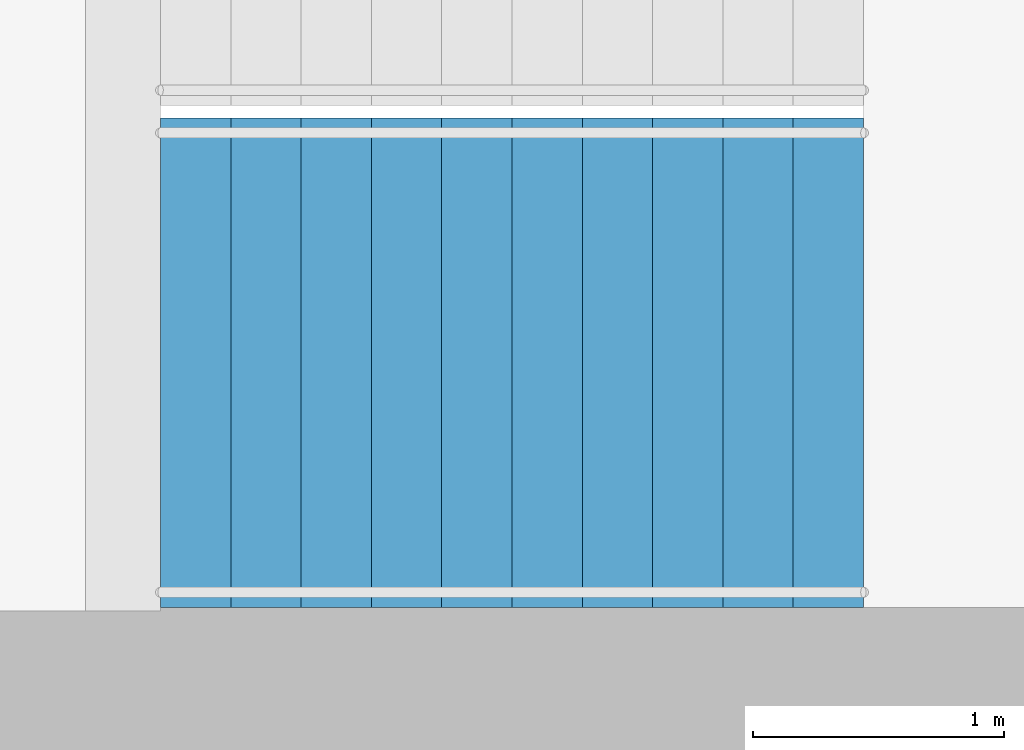
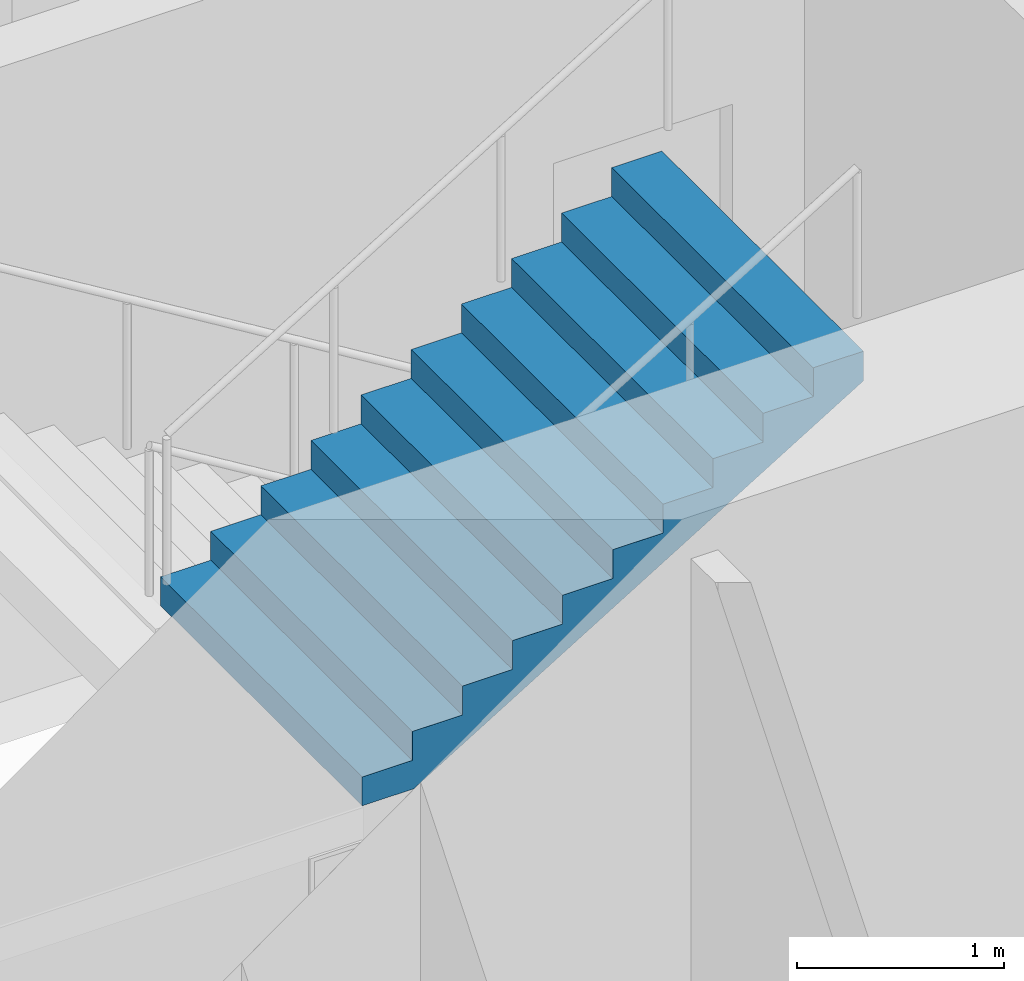
# One storey, part 23 of 25: 1 stair flight, 1 element without a shape of its own.
"""IFC4 building model written with IfcOpenShell, lengths in metres."""

from ifc_helpers import new_model, si_unit, direction, frame, origin, place, context, subcontext, project, spatial, triangles, material, type_object, element, aggregate, save


model = new_model("IFC4")

# Units and contexts
model_context = context("Model", 3, precision=1e-05, world=origin(), true_north=direction((0.0, 1.0)))
body_context = subcontext(model_context, "Body", "Model", "MODEL_VIEW")
ifc_project = project(units=[si_unit("LENGTHUNIT", "METRE"), si_unit("AREAUNIT", "SQUARE_METRE"), si_unit("VOLUMEUNIT", "CUBIC_METRE"), si_unit("PLANEANGLEUNIT", "RADIAN"), si_unit("MASSUNIT", "GRAM", prefix="KILO")], contexts=[model_context])

# Site, building, storey
site_placement = place(None, origin())
site = spatial("IfcSite", under=ifc_project, at=site_placement, CompositionType="ELEMENT")
building_placement = place(site_placement, origin())
building = spatial("IfcBuilding", under=site, at=building_placement, Name="Orbita Commons", CompositionType="ELEMENT")
storey_placement = place(building_placement, frame((0.0, 0.0, 31.449951171875)))
storey = spatial("IfcBuildingStorey", under=building, at=storey_placement, Name="L07", CompositionType="ELEMENT", Elevation=31.449951171875)

# Stair, stair flight
ifc_material_1 = material(Name="Precast concrete C40/50", Category="concrete")
stair_type = type_object("IfcStairType", Name="Exit stair S2 2 flights 11 risers 170", PredefinedType="HALF_TURN_STAIR", material=ifc_material_1)
stair_placement = place(storey_placement, origin())
stair = element("IfcStair", 1, at=stair_placement, inside=storey, type_object=stair_type, Name="Exit stair S2 L07", PredefinedType="HALF_TURN_STAIR")
ifc_material_2 = material(Name="Precast concrete C40/50", Category="concrete")
stair_flight_type = type_object("IfcStairFlightType", Name="Stair flight 11 risers 170 x 280", PredefinedType="STRAIGHT", material=ifc_material_2)
stair_flight_placement = place(storey_placement, frame((60.75, 27.27490234375, 1.875), z_axis=(0.0, 0.0, 1.0), x_axis=(1.0, 0.0, 0.0)))
stair_flight = element("IfcStairFlight", 2, at=stair_flight_placement, type_object=stair_flight_type, Name="S2 flight 2", NumberOfRisers=11, NumberOfTreads=10, PredefinedType="STRAIGHT", RiserHeight=0.170454545, TreadLength=0.28, context=body_context, shape_type="Tessellation", body=[
    triangles([(0.0, 0.974976, 0.0), (0.0, 0.974976, 0.021307), (0.0, 0.81248, 0.021307), (0.0, 0.81248, 0.0), (0.0, 0.649984, 0.021307), (0.0, 0.649984, 0.0), (0.0, 0.487488, 0.021307), (0.0, 0.487488, 0.0), (0.0, 0.324992, 0.021307), (0.0, 0.324992, 0.0), (0.0, 0.162496, 0.021307), (0.0, 0.162496, 0.0), (0.0, 0.0, 0.021307), (0.0, 0.0, 0.0), (0.0, -0.162496, 0.021307), (0.0, -0.162496, 0.0), (0.0, -0.324992, 0.021307), (0.0, -0.324992, 0.0), (0.0, -0.487488, 0.021307), (0.0, -0.487488, 0.0), (0.0, -0.649984, 0.021307), (0.0, -0.649984, 0.0), (0.0, -0.81248, 0.021307), (0.0, -0.81248, 0.0), (0.0, -0.974976, 0.021307), (0.0, -0.974976, 0.0), (0.0, 0.974976, 0.042614), (0.0, 0.81248, 0.042614), (0.0, 0.649984, 0.042614), (0.0, 0.487488, 0.042614), (0.0, 0.324992, 0.042614), (0.0, 0.162496, 0.042614), (0.0, 0.0, 0.042614), (0.0, -0.162496, 0.042614), (0.0, -0.324992, 0.042614), (0.0, -0.487488, 0.042614), (0.0, -0.649984, 0.042614), (0.0, -0.81248, 0.042614), (0.0, -0.974976, 0.042614), (0.0, 0.974976, 0.06392), (0.0, 0.81248, 0.06392), (0.0, 0.649984, 0.06392), (0.0, 0.487488, 0.06392), (0.0, 0.324992, 0.06392), (0.0, 0.162496, 0.06392), (0.0, 0.0, 0.06392), (0.0, -0.162496, 0.06392), (0.0, -0.324992, 0.06392), (0.0, -0.487488, 0.06392), (0.0, -0.649984, 0.06392), (0.0, -0.81248, 0.06392), (0.0, -0.974976, 0.06392), (0.0, 0.974976, 0.085227), (0.0, 0.81248, 0.085227), (0.0, 0.649984, 0.085227), (0.0, 0.487488, 0.085227), (0.0, 0.324992, 0.085227), (0.0, 0.162496, 0.085227), (0.0, 0.0, 0.085227), (0.0, -0.162496, 0.085227), (0.0, -0.324992, 0.085227), (0.0, -0.487488, 0.085227), (0.0, -0.649984, 0.085227), (0.0, -0.81248, 0.085227), (0.0, -0.974976, 0.085227), (0.0, 0.974976, 0.106534), (0.0, 0.81248, 0.106534), (0.0, 0.649984, 0.106534), (0.0, 0.487488, 0.106534), (0.0, 0.324992, 0.106534), (0.0, 0.162496, 0.106534), (0.0, 0.0, 0.106534), (0.0, -0.162496, 0.106534), (0.0, -0.324992, 0.106534), (0.0, -0.487488, 0.106534), (0.0, -0.649984, 0.106534), (0.0, -0.81248, 0.106534), (0.0, -0.974976, 0.106534), (0.0, 0.974976, 0.127841), (0.0, 0.81248, 0.127841), (0.0, 0.649984, 0.127841), (0.0, 0.487488, 0.127841), (0.0, 0.324992, 0.127841), (0.0, 0.162496, 0.127841), (0.0, 0.0, 0.127841), (0.0, -0.162496, 0.127841), (0.0, -0.324992, 0.127841), (0.0, -0.487488, 0.127841), (0.0, -0.649984, 0.127841), (0.0, -0.81248, 0.127841), (0.0, -0.974976, 0.127841), (0.0, 0.974976, 0.149148), (0.0, 0.81248, 0.149148), (0.0, 0.649984, 0.149148), (0.0, 0.487488, 0.149148), (0.0, 0.324992, 0.149148), (0.0, 0.162496, 0.149148), (0.0, 0.0, 0.149148), (0.0, -0.162496, 0.149148), (0.0, -0.324992, 0.149148), (0.0, -0.487488, 0.149148), (0.0, -0.649984, 0.149148), (0.0, -0.81248, 0.149148), (0.0, -0.974976, 0.149148), (0.0, 0.974976, 0.170455), (0.0, 0.81248, 0.170455), (0.0, 0.649984, 0.170455), (0.0, 0.487488, 0.170455), (0.0, 0.324992, 0.170455), (0.0, 0.162496, 0.170455), (0.0, 0.0, 0.170455), (0.0, -0.162496, 0.170455), (0.0, -0.324992, 0.170455), (0.0, -0.487488, 0.170455), (0.0, -0.649984, 0.170455), (0.0, -0.81248, 0.170455), (0.0, -0.974976, 0.170455), (0.28, 0.974976, 0.170455), (0.28, 0.81248, 0.170455), (0.28, 0.649984, 0.170455), (0.28, 0.487488, 0.170455), (0.28, 0.324992, 0.170455), (0.28, 0.162496, 0.170455), (0.28, 0.0, 0.170455), (0.28, -0.162496, 0.170455), (0.28, -0.324992, 0.170455), (0.28, -0.487488, 0.170455), (0.28, -0.649984, 0.170455), (0.28, -0.81248, 0.170455), (0.28, -0.974976, 0.170455), (0.28, 0.974976, 0.340909), (0.28, 0.81248, 0.340909), (0.28, 0.649984, 0.340909), (0.28, 0.487488, 0.340909), (0.28, 0.324992, 0.340909), (0.28, 0.162496, 0.340909), (0.28, 0.0, 0.340909), (0.28, -0.162496, 0.340909), (0.28, -0.324992, 0.340909), (0.28, -0.487488, 0.340909), (0.28, -0.649984, 0.340909), (0.28, -0.81248, 0.340909), (0.28, -0.974976, 0.340909), (0.56, 0.974976, 0.340909), (0.56, 0.81248, 0.340909), (0.56, 0.649984, 0.340909), (0.56, 0.487488, 0.340909), (0.56, 0.324992, 0.340909), (0.56, 0.162496, 0.340909), (0.56, 0.0, 0.340909), (0.56, -0.162496, 0.340909), (0.56, -0.324992, 0.340909), (0.56, -0.487488, 0.340909), (0.56, -0.649984, 0.340909), (0.56, -0.81248, 0.340909), (0.56, -0.974976, 0.340909), (0.56, 0.974976, 0.511364), (0.56, 0.81248, 0.511364), (0.56, 0.649984, 0.511364), (0.56, 0.487488, 0.511364), (0.56, 0.324992, 0.511364), (0.56, 0.162496, 0.511364), (0.56, 0.0, 0.511364), (0.56, -0.162496, 0.511364), (0.56, -0.324992, 0.511364), (0.56, -0.487488, 0.511364), (0.56, -0.649984, 0.511364), (0.56, -0.81248, 0.511364), (0.56, -0.974976, 0.511364), (0.84, 0.974976, 0.511364), (0.84, 0.81248, 0.511364), (0.84, 0.649984, 0.511364), (0.84, 0.487488, 0.511364), (0.84, 0.324992, 0.511364), (0.84, 0.162496, 0.511364), (0.84, 0.0, 0.511364), (0.84, -0.162496, 0.511364), (0.84, -0.324992, 0.511364), (0.84, -0.487488, 0.511364), (0.84, -0.649984, 0.511364), (0.84, -0.81248, 0.511364), (0.84, -0.974976, 0.511364), (0.84, 0.974976, 0.681818), (0.84, 0.81248, 0.681818), (0.84, 0.649984, 0.681818), (0.84, 0.487488, 0.681818), (0.84, 0.324992, 0.681818), (0.84, 0.162496, 0.681818), (0.84, 0.0, 0.681818), (0.84, -0.162496, 0.681818), (0.84, -0.324992, 0.681818), (0.84, -0.487488, 0.681818), (0.84, -0.649984, 0.681818), (0.84, -0.81248, 0.681818), (0.84, -0.974976, 0.681818), (1.12, 0.974976, 0.681818), (1.12, 0.81248, 0.681818), (1.12, 0.649984, 0.681818), (1.12, 0.487488, 0.681818), (1.12, 0.324992, 0.681818), (1.12, 0.162496, 0.681818), (1.12, 0.0, 0.681818), (1.12, -0.162496, 0.681818), (1.12, -0.324992, 0.681818), (1.12, -0.487488, 0.681818), (1.12, -0.649984, 0.681818), (1.12, -0.81248, 0.681818), (1.12, -0.974976, 0.681818), (1.12, 0.974976, 0.852273), (1.12, 0.81248, 0.852273), (1.12, 0.649984, 0.852273), (1.12, 0.487488, 0.852273), (1.12, 0.324992, 0.852273), (1.12, 0.162496, 0.852273), (1.12, 0.0, 0.852273), (1.12, -0.162496, 0.852273), (1.12, -0.324992, 0.852273), (1.12, -0.487488, 0.852273), (1.12, -0.649984, 0.852273), (1.12, -0.81248, 0.852273), (1.12, -0.974976, 0.852273), (1.4, 0.974976, 0.852273), (1.4, 0.81248, 0.852273), (1.4, 0.649984, 0.852273), (1.4, 0.487488, 0.852273), (1.4, 0.324992, 0.852273), (1.4, 0.162496, 0.852273), (1.4, 0.0, 0.852273), (1.4, -0.162496, 0.852273), (1.4, -0.324992, 0.852273), (1.4, -0.487488, 0.852273), (1.4, -0.649984, 0.852273), (1.4, -0.81248, 0.852273), (1.4, -0.974976, 0.852273), (1.4, 0.974976, 1.022727), (1.4, 0.81248, 1.022727), (1.4, 0.649984, 1.022727), (1.4, 0.487488, 1.022727), (1.4, 0.324992, 1.022727), (1.4, 0.162496, 1.022727), (1.4, 0.0, 1.022727), (1.4, -0.162496, 1.022727), (1.4, -0.324992, 1.022727), (1.4, -0.487488, 1.022727), (1.4, -0.649984, 1.022727), (1.4, -0.81248, 1.022727), (1.4, -0.974976, 1.022727), (1.68, 0.974976, 1.022727), (1.68, 0.81248, 1.022727), (1.68, 0.649984, 1.022727), (1.68, 0.487488, 1.022727), (1.68, 0.324992, 1.022727), (1.68, 0.162496, 1.022727), (1.68, 0.0, 1.022727), (1.68, -0.162496, 1.022727), (1.68, -0.324992, 1.022727), (1.68, -0.487488, 1.022727), (1.68, -0.649984, 1.022727), (1.68, -0.81248, 1.022727), (1.68, -0.974976, 1.022727), (1.68, 0.974976, 1.193182), (1.68, 0.81248, 1.193182), (1.68, 0.649984, 1.193182), (1.68, 0.487488, 1.193182), (1.68, 0.324992, 1.193182), (1.68, 0.162496, 1.193182), (1.68, 0.0, 1.193182), (1.68, -0.162496, 1.193182), (1.68, -0.324992, 1.193182), (1.68, -0.487488, 1.193182), (1.68, -0.649984, 1.193182), (1.68, -0.81248, 1.193182), (1.68, -0.974976, 1.193182), (1.96, 0.974976, 1.193182), (1.96, 0.81248, 1.193182), (1.96, 0.649984, 1.193182), (1.96, 0.487488, 1.193182), (1.96, 0.324992, 1.193182), (1.96, 0.162496, 1.193182), (1.96, 0.0, 1.193182), (1.96, -0.162496, 1.193182), (1.96, -0.324992, 1.193182), (1.96, -0.487488, 1.193182), (1.96, -0.649984, 1.193182), (1.96, -0.81248, 1.193182), (1.96, -0.974976, 1.193182), (1.96, 0.974976, 1.363636), (1.96, 0.81248, 1.363636), (1.96, 0.649984, 1.363636), (1.96, 0.487488, 1.363636), (1.96, 0.324992, 1.363636), (1.96, 0.162496, 1.363636), (1.96, 0.0, 1.363636), (1.96, -0.162496, 1.363636), (1.96, -0.324992, 1.363636), (1.96, -0.487488, 1.363636), (1.96, -0.649984, 1.363636), (1.96, -0.81248, 1.363636), (1.96, -0.974976, 1.363636), (2.24, 0.974976, 1.363636), (2.24, 0.81248, 1.363636), (2.24, 0.649984, 1.363636), (2.24, 0.487488, 1.363636), (2.24, 0.324992, 1.363636), (2.24, 0.162496, 1.363636), (2.24, 0.0, 1.363636), (2.24, -0.162496, 1.363636), (2.24, -0.324992, 1.363636), (2.24, -0.487488, 1.363636), (2.24, -0.649984, 1.363636), (2.24, -0.81248, 1.363636), (2.24, -0.974976, 1.363636), (2.24, 0.974976, 1.534091), (2.24, 0.81248, 1.534091), (2.24, 0.649984, 1.534091), (2.24, 0.487488, 1.534091), (2.24, 0.324992, 1.534091), (2.24, 0.162496, 1.534091), (2.24, 0.0, 1.534091), (2.24, -0.162496, 1.534091), (2.24, -0.324992, 1.534091), (2.24, -0.487488, 1.534091), (2.24, -0.649984, 1.534091), (2.24, -0.81248, 1.534091), (2.24, -0.974976, 1.534091), (2.52, 0.974976, 1.534091), (2.52, 0.81248, 1.534091), (2.52, 0.649984, 1.534091), (2.52, 0.487488, 1.534091), (2.52, 0.324992, 1.534091), (2.52, 0.162496, 1.534091), (2.52, 0.0, 1.534091), (2.52, -0.162496, 1.534091), (2.52, -0.324992, 1.534091), (2.52, -0.487488, 1.534091), (2.52, -0.649984, 1.534091), (2.52, -0.81248, 1.534091), (2.52, -0.974976, 1.534091), (2.52, 0.974976, 1.704545), (2.52, 0.81248, 1.704545), (2.52, 0.649984, 1.704545), (2.52, 0.487488, 1.704545), (2.52, 0.324992, 1.704545), (2.52, 0.162496, 1.704545), (2.52, 0.0, 1.704545), (2.52, -0.162496, 1.704545), (2.52, -0.324992, 1.704545), (2.52, -0.487488, 1.704545), (2.52, -0.649984, 1.704545), (2.52, -0.81248, 1.704545), (2.52, -0.974976, 1.704545), (2.8, 0.974976, 1.704545), (2.8, 0.81248, 1.704545), (2.8, 0.649984, 1.704545), (2.8, 0.487488, 1.704545), (2.8, 0.324992, 1.704545), (2.8, 0.162496, 1.704545), (2.8, 0.0, 1.704545), (2.8, -0.162496, 1.704545), (2.8, -0.324992, 1.704545), (2.8, -0.487488, 1.704545), (2.8, -0.649984, 1.704545), (2.8, -0.81248, 1.704545), (2.8, -0.974976, 1.704545), (2.8, 0.974976, 1.682609), (2.8, 0.81248, 1.682609), (2.8, 0.649984, 1.682609), (2.8, 0.487488, 1.682609), (2.8, 0.324992, 1.682609), (2.8, 0.162496, 1.682609), (2.8, 0.0, 1.682609), (2.8, -0.162496, 1.682609), (2.8, -0.324992, 1.682609), (2.8, -0.487488, 1.682609), (2.8, -0.649984, 1.682609), (2.8, -0.81248, 1.682609), (2.8, -0.974976, 1.682609), (2.8, 0.974976, 1.660672), (2.8, 0.81248, 1.660672), (2.8, 0.649984, 1.660672), (2.8, 0.487488, 1.660672), (2.8, 0.324992, 1.660672), (2.8, 0.162496, 1.660672), (2.8, 0.0, 1.660672), (2.8, -0.162496, 1.660672), (2.8, -0.324992, 1.660672), (2.8, -0.487488, 1.660672), (2.8, -0.649984, 1.660672), (2.8, -0.81248, 1.660672), (2.8, -0.974976, 1.660672), (2.8, 0.974976, 1.638735), (2.8, 0.81248, 1.638735), (2.8, 0.649984, 1.638735), (2.8, 0.487488, 1.638735), (2.8, 0.324992, 1.638735), (2.8, 0.162496, 1.638735), (2.8, 0.0, 1.638735), (2.8, -0.162496, 1.638735), (2.8, -0.324992, 1.638735), (2.8, -0.487488, 1.638735), (2.8, -0.649984, 1.638735), (2.8, -0.81248, 1.638735), (2.8, -0.974976, 1.638735), (2.8, 0.974976, 1.616798), (2.8, 0.81248, 1.616798), (2.8, 0.649984, 1.616798), (2.8, 0.487488, 1.616798), (2.8, 0.324992, 1.616798), (2.8, 0.162496, 1.616798), (2.8, 0.0, 1.616798), (2.8, -0.162496, 1.616798), (2.8, -0.324992, 1.616798), (2.8, -0.487488, 1.616798), (2.8, -0.649984, 1.616798), (2.8, -0.81248, 1.616798), (2.8, -0.974976, 1.616798), (2.8, 0.974976, 1.594861), (2.8, 0.81248, 1.594861), (2.8, 0.649984, 1.594861), (2.8, 0.487488, 1.594861), (2.8, 0.324992, 1.594861), (2.8, 0.162496, 1.594861), (2.8, 0.0, 1.594861), (2.8, -0.162496, 1.594861), (2.8, -0.324992, 1.594861), (2.8, -0.487488, 1.594861), (2.8, -0.649984, 1.594861), (2.8, -0.81248, 1.594861), (2.8, -0.974976, 1.594861), (2.8, 0.974976, 1.572925), (2.8, 0.81248, 1.572925), (2.8, 0.649984, 1.572925), (2.8, 0.487488, 1.572925), (2.8, 0.324992, 1.572925), (2.8, 0.162496, 1.572925), (2.8, 0.0, 1.572925), (2.8, -0.162496, 1.572925), (2.8, -0.324992, 1.572925), (2.8, -0.487488, 1.572925), (2.8, -0.649984, 1.572925), (2.8, -0.81248, 1.572925), (2.8, -0.974976, 1.572925), (2.8, 0.974976, 1.550988), (2.8, 0.81248, 1.550988), (2.8, 0.649984, 1.550988), (2.8, 0.487488, 1.550988), (2.8, 0.324992, 1.550988), (2.8, 0.162496, 1.550988), (2.8, 0.0, 1.550988), (2.8, -0.162496, 1.550988), (2.8, -0.324992, 1.550988), (2.8, -0.487488, 1.550988), (2.8, -0.649984, 1.550988), (2.8, -0.81248, 1.550988), (2.8, -0.974976, 1.550988), (2.8, 0.974976, 1.529051), (2.8, 0.81248, 1.529051), (2.8, 0.649984, 1.529051), (2.8, 0.487488, 1.529051), (2.8, 0.324992, 1.529051), (2.8, 0.162496, 1.529051), (2.8, 0.0, 1.529051), (2.8, -0.162496, 1.529051), (2.8, -0.324992, 1.529051), (2.8, -0.487488, 1.529051), (2.8, -0.649984, 1.529051), (2.8, -0.81248, 1.529051), (2.8, -0.974976, 1.529051), (0.288279, 0.974976, 0.0), (0.288279, 0.81248, 0.0), (0.288279, 0.649984, 0.0), (0.288279, 0.487488, 0.0), (0.288279, 0.324992, 0.0), (0.288279, 0.162496, 0.0), (0.288279, 0.0, 0.0), (0.288279, -0.162496, 0.0), (0.288279, -0.324992, 0.0), (0.288279, -0.487488, 0.0), (0.288279, -0.649984, 0.0), (0.288279, -0.81248, 0.0), (0.288279, -0.974976, 0.0)], [[3, 2, 1], [4, 3, 1], [5, 3, 4], [6, 5, 4], [7, 5, 6], [8, 7, 6], [9, 7, 8], [10, 9, 8], [11, 9, 10], [12, 11, 10], [13, 11, 12], [14, 13, 12], [15, 13, 14], [16, 15, 14], [17, 15, 16], [18, 17, 16], [19, 17, 18], [20, 19, 18], [21, 19, 20], [22, 21, 20], [23, 21, 22], [24, 23, 22], [25, 23, 24], [26, 25, 24], [28, 27, 2], [3, 28, 2], [29, 28, 3], [5, 29, 3], [30, 29, 5], [7, 30, 5], [31, 30, 7], [9, 31, 7], [32, 31, 9], [11, 32, 9], [33, 32, 11], [13, 33, 11], [34, 33, 13], [15, 34, 13], [35, 34, 15], [17, 35, 15], [36, 35, 17], [19, 36, 17], [37, 36, 19], [21, 37, 19], [38, 37, 21], [23, 38, 21], [39, 38, 23], [25, 39, 23], [41, 40, 27], [28, 41, 27], [42, 41, 28], [29, 42, 28], [43, 42, 29], [30, 43, 29], [44, 43, 30], [31, 44, 30], [45, 44, 31], [32, 45, 31], [46, 45, 32], [33, 46, 32], [47, 46, 33], [34, 47, 33], [48, 47, 34], [35, 48, 34], [49, 48, 35], [36, 49, 35], [50, 49, 36], [37, 50, 36], [51, 50, 37], [38, 51, 37], [52, 51, 38], [39, 52, 38], [54, 53, 40], [41, 54, 40], [55, 54, 41], [42, 55, 41], [56, 55, 42], [43, 56, 42], [57, 56, 43], [44, 57, 43], [58, 57, 44], [45, 58, 44], [59, 58, 45], [46, 59, 45], [60, 59, 46], [47, 60, 46], [61, 60, 47], [48, 61, 47], [62, 61, 48], [49, 62, 48], [63, 62, 49], [50, 63, 49], [64, 63, 50], [51, 64, 50], [65, 64, 51], [52, 65, 51], [67, 66, 53], [54, 67, 53], [68, 67, 54], [55, 68, 54], [69, 68, 55], [56, 69, 55], [70, 69, 56], [57, 70, 56], [71, 70, 57], [58, 71, 57], [72, 71, 58], [59, 72, 58], [73, 72, 59], [60, 73, 59], [74, 73, 60], [61, 74, 60], [75, 74, 61], [62, 75, 61], [76, 75, 62], [63, 76, 62], [77, 76, 63], [64, 77, 63], [78, 77, 64], [65, 78, 64], [80, 79, 66], [67, 80, 66], [81, 80, 67], [68, 81, 67], [82, 81, 68], [69, 82, 68], [83, 82, 69], [70, 83, 69], [84, 83, 70], [71, 84, 70], [85, 84, 71], [72, 85, 71], [86, 85, 72], [73, 86, 72], [87, 86, 73], [74, 87, 73], [88, 87, 74], [75, 88, 74], [89, 88, 75], [76, 89, 75], [90, 89, 76], [77, 90, 76], [91, 90, 77], [78, 91, 77], [93, 92, 79], [80, 93, 79], [94, 93, 80], [81, 94, 80], [95, 94, 81], [82, 95, 81], [96, 95, 82], [83, 96, 82], [97, 96, 83], [84, 97, 83], [98, 97, 84], [85, 98, 84], [99, 98, 85], [86, 99, 85], [100, 99, 86], [87, 100, 86], [101, 100, 87], [88, 101, 87], [102, 101, 88], [89, 102, 88], [103, 102, 89], [90, 103, 89], [104, 103, 90], [91, 104, 90], [106, 105, 92], [93, 106, 92], [107, 106, 93], [94, 107, 93], [108, 107, 94], [95, 108, 94], [109, 108, 95], [96, 109, 95], [110, 109, 96], [97, 110, 96], [111, 110, 97], [98, 111, 97], [112, 111, 98], [99, 112, 98], [113, 112, 99], [100, 113, 99], [114, 113, 100], [101, 114, 100], [115, 114, 101], [102, 115, 101], [116, 115, 102], [103, 116, 102], [117, 116, 103], [104, 117, 103], [119, 118, 105], [106, 119, 105], [120, 119, 106], [107, 120, 106], [121, 120, 107], [108, 121, 107], [122, 121, 108], [109, 122, 108], [123, 122, 109], [110, 123, 109], [124, 123, 110], [111, 124, 110], [125, 124, 111], [112, 125, 111], [126, 125, 112], [113, 126, 112], [127, 126, 113], [114, 127, 113], [128, 127, 114], [115, 128, 114], [129, 128, 115], [116, 129, 115], [130, 129, 116], [117, 130, 116], [132, 131, 118], [119, 132, 118], [133, 132, 119], [120, 133, 119], [134, 133, 120], [121, 134, 120], [135, 134, 121], [122, 135, 121], [136, 135, 122], [123, 136, 122], [137, 136, 123], [124, 137, 123], [138, 137, 124], [125, 138, 124], [139, 138, 125], [126, 139, 125], [140, 139, 126], [127, 140, 126], [141, 140, 127], [128, 141, 127], [142, 141, 128], [129, 142, 128], [143, 142, 129], [130, 143, 129], [145, 144, 131], [132, 145, 131], [146, 145, 132], [133, 146, 132], [147, 146, 133], [134, 147, 133], [148, 147, 134], [135, 148, 134], [149, 148, 135], [136, 149, 135], [150, 149, 136], [137, 150, 136], [151, 150, 137], [138, 151, 137], [152, 151, 138], [139, 152, 138], [153, 152, 139], [140, 153, 139], [154, 153, 140], [141, 154, 140], [155, 154, 141], [142, 155, 141], [156, 155, 142], [143, 156, 142], [158, 157, 144], [145, 158, 144], [159, 158, 145], [146, 159, 145], [160, 159, 146], [147, 160, 146], [161, 160, 147], [148, 161, 147], [162, 161, 148], [149, 162, 148], [163, 162, 149], [150, 163, 149], [164, 163, 150], [151, 164, 150], [165, 164, 151], [152, 165, 151], [166, 165, 152], [153, 166, 152], [167, 166, 153], [154, 167, 153], [168, 167, 154], [155, 168, 154], [169, 168, 155], [156, 169, 155], [171, 170, 157], [158, 171, 157], [172, 171, 158], [159, 172, 158], [173, 172, 159], [160, 173, 159], [174, 173, 160], [161, 174, 160], [175, 174, 161], [162, 175, 161], [176, 175, 162], [163, 176, 162], [177, 176, 163], [164, 177, 163], [178, 177, 164], [165, 178, 164], [179, 178, 165], [166, 179, 165], [180, 179, 166], [167, 180, 166], [181, 180, 167], [168, 181, 167], [182, 181, 168], [169, 182, 168], [184, 183, 170], [171, 184, 170], [185, 184, 171], [172, 185, 171], [186, 185, 172], [173, 186, 172], [187, 186, 173], [174, 187, 173], [188, 187, 174], [175, 188, 174], [189, 188, 175], [176, 189, 175], [190, 189, 176], [177, 190, 176], [191, 190, 177], [178, 191, 177], [192, 191, 178], [179, 192, 178], [193, 192, 179], [180, 193, 179], [194, 193, 180], [181, 194, 180], [195, 194, 181], [182, 195, 181], [197, 196, 183], [184, 197, 183], [198, 197, 184], [185, 198, 184], [199, 198, 185], [186, 199, 185], [200, 199, 186], [187, 200, 186], [201, 200, 187], [188, 201, 187], [202, 201, 188], [189, 202, 188], [203, 202, 189], [190, 203, 189], [204, 203, 190], [191, 204, 190], [205, 204, 191], [192, 205, 191], [206, 205, 192], [193, 206, 192], [207, 206, 193], [194, 207, 193], [208, 207, 194], [195, 208, 194], [210, 209, 196], [197, 210, 196], [211, 210, 197], [198, 211, 197], [212, 211, 198], [199, 212, 198], [213, 212, 199], [200, 213, 199], [214, 213, 200], [201, 214, 200], [215, 214, 201], [202, 215, 201], [216, 215, 202], [203, 216, 202], [217, 216, 203], [204, 217, 203], [218, 217, 204], [205, 218, 204], [219, 218, 205], [206, 219, 205], [220, 219, 206], [207, 220, 206], [221, 220, 207], [208, 221, 207], [223, 222, 209], [210, 223, 209], [224, 223, 210], [211, 224, 210], [225, 224, 211], [212, 225, 211], [226, 225, 212], [213, 226, 212], [227, 226, 213], [214, 227, 213], [228, 227, 214], [215, 228, 214], [229, 228, 215], [216, 229, 215], [230, 229, 216], [217, 230, 216], [231, 230, 217], [218, 231, 217], [232, 231, 218], [219, 232, 218], [233, 232, 219], [220, 233, 219], [234, 233, 220], [221, 234, 220], [236, 235, 222], [223, 236, 222], [237, 236, 223], [224, 237, 223], [238, 237, 224], [225, 238, 224], [239, 238, 225], [226, 239, 225], [240, 239, 226], [227, 240, 226], [241, 240, 227], [228, 241, 227], [242, 241, 228], [229, 242, 228], [243, 242, 229], [230, 243, 229], [244, 243, 230], [231, 244, 230], [245, 244, 231], [232, 245, 231], [246, 245, 232], [233, 246, 232], [247, 246, 233], [234, 247, 233], [249, 248, 235], [236, 249, 235], [250, 249, 236], [237, 250, 236], [251, 250, 237], [238, 251, 237], [252, 251, 238], [239, 252, 238], [253, 252, 239], [240, 253, 239], [254, 253, 240], [241, 254, 240], [255, 254, 241], [242, 255, 241], [256, 255, 242], [243, 256, 242], [257, 256, 243], [244, 257, 243], [258, 257, 244], [245, 258, 244], [259, 258, 245], [246, 259, 245], [260, 259, 246], [247, 260, 246], [262, 261, 248], [249, 262, 248], [263, 262, 249], [250, 263, 249], [264, 263, 250], [251, 264, 250], [265, 264, 251], [252, 265, 251], [266, 265, 252], [253, 266, 252], [267, 266, 253], [254, 267, 253], [268, 267, 254], [255, 268, 254], [269, 268, 255], [256, 269, 255], [270, 269, 256], [257, 270, 256], [271, 270, 257], [258, 271, 257], [272, 271, 258], [259, 272, 258], [273, 272, 259], [260, 273, 259], [275, 274, 261], [262, 275, 261], [276, 275, 262], [263, 276, 262], [277, 276, 263], [264, 277, 263], [278, 277, 264], [265, 278, 264], [279, 278, 265], [266, 279, 265], [280, 279, 266], [267, 280, 266], [281, 280, 267], [268, 281, 267], [282, 281, 268], [269, 282, 268], [283, 282, 269], [270, 283, 269], [284, 283, 270], [271, 284, 270], [285, 284, 271], [272, 285, 271], [286, 285, 272], [273, 286, 272], [288, 287, 274], [275, 288, 274], [289, 288, 275], [276, 289, 275], [290, 289, 276], [277, 290, 276], [291, 290, 277], [278, 291, 277], [292, 291, 278], [279, 292, 278], [293, 292, 279], [280, 293, 279], [294, 293, 280], [281, 294, 280], [295, 294, 281], [282, 295, 281], [296, 295, 282], [283, 296, 282], [297, 296, 283], [284, 297, 283], [298, 297, 284], [285, 298, 284], [299, 298, 285], [286, 299, 285], [301, 300, 287], [288, 301, 287], [302, 301, 288], [289, 302, 288], [303, 302, 289], [290, 303, 289], [304, 303, 290], [291, 304, 290], [305, 304, 291], [292, 305, 291], [306, 305, 292], [293, 306, 292], [307, 306, 293], [294, 307, 293], [308, 307, 294], [295, 308, 294], [309, 308, 295], [296, 309, 295], [310, 309, 296], [297, 310, 296], [311, 310, 297], [298, 311, 297], [312, 311, 298], [299, 312, 298], [314, 313, 300], [301, 314, 300], [315, 314, 301], [302, 315, 301], [316, 315, 302], [303, 316, 302], [317, 316, 303], [304, 317, 303], [318, 317, 304], [305, 318, 304], [319, 318, 305], [306, 319, 305], [320, 319, 306], [307, 320, 306], [321, 320, 307], [308, 321, 307], [322, 321, 308], [309, 322, 308], [323, 322, 309], [310, 323, 309], [324, 323, 310], [311, 324, 310], [325, 324, 311], [312, 325, 311], [327, 326, 313], [314, 327, 313], [328, 327, 314], [315, 328, 314], [329, 328, 315], [316, 329, 315], [330, 329, 316], [317, 330, 316], [331, 330, 317], [318, 331, 317], [332, 331, 318], [319, 332, 318], [333, 332, 319], [320, 333, 319], [334, 333, 320], [321, 334, 320], [335, 334, 321], [322, 335, 321], [336, 335, 322], [323, 336, 322], [337, 336, 323], [324, 337, 323], [338, 337, 324], [325, 338, 324], [340, 339, 326], [327, 340, 326], [341, 340, 327], [328, 341, 327], [342, 341, 328], [329, 342, 328], [343, 342, 329], [330, 343, 329], [344, 343, 330], [331, 344, 330], [345, 344, 331], [332, 345, 331], [346, 345, 332], [333, 346, 332], [347, 346, 333], [334, 347, 333], [348, 347, 334], [335, 348, 334], [349, 348, 335], [336, 349, 335], [350, 349, 336], [337, 350, 336], [351, 350, 337], [338, 351, 337], [353, 352, 339], [340, 353, 339], [354, 353, 340], [341, 354, 340], [355, 354, 341], [342, 355, 341], [356, 355, 342], [343, 356, 342], [357, 356, 343], [344, 357, 343], [358, 357, 344], [345, 358, 344], [359, 358, 345], [346, 359, 345], [360, 359, 346], [347, 360, 346], [361, 360, 347], [348, 361, 347], [362, 361, 348], [349, 362, 348], [363, 362, 349], [350, 363, 349], [364, 363, 350], [351, 364, 350], [366, 365, 352], [353, 366, 352], [367, 366, 353], [354, 367, 353], [368, 367, 354], [355, 368, 354], [369, 368, 355], [356, 369, 355], [370, 369, 356], [357, 370, 356], [371, 370, 357], [358, 371, 357], [372, 371, 358], [359, 372, 358], [373, 372, 359], [360, 373, 359], [374, 373, 360], [361, 374, 360], [375, 374, 361], [362, 375, 361], [376, 375, 362], [363, 376, 362], [377, 376, 363], [364, 377, 363], [379, 378, 365], [366, 379, 365], [380, 379, 366], [367, 380, 366], [381, 380, 367], [368, 381, 367], [382, 381, 368], [369, 382, 368], [383, 382, 369], [370, 383, 369], [384, 383, 370], [371, 384, 370], [385, 384, 371], [372, 385, 371], [386, 385, 372], [373, 386, 372], [387, 386, 373], [374, 387, 373], [388, 387, 374], [375, 388, 374], [389, 388, 375], [376, 389, 375], [390, 389, 376], [377, 390, 376], [392, 391, 378], [379, 392, 378], [393, 392, 379], [380, 393, 379], [394, 393, 380], [381, 394, 380], [395, 394, 381], [382, 395, 381], [396, 395, 382], [383, 396, 382], [397, 396, 383], [384, 397, 383], [398, 397, 384], [385, 398, 384], [399, 398, 385], [386, 399, 385], [400, 399, 386], [387, 400, 386], [401, 400, 387], [388, 401, 387], [402, 401, 388], [389, 402, 388], [403, 402, 389], [390, 403, 389], [405, 404, 391], [392, 405, 391], [406, 405, 392], [393, 406, 392], [407, 406, 393], [394, 407, 393], [408, 407, 394], [395, 408, 394], [409, 408, 395], [396, 409, 395], [410, 409, 396], [397, 410, 396], [411, 410, 397], [398, 411, 397], [412, 411, 398], [399, 412, 398], [413, 412, 399], [400, 413, 399], [414, 413, 400], [401, 414, 400], [415, 414, 401], [402, 415, 401], [416, 415, 402], [403, 416, 402], [418, 417, 404], [405, 418, 404], [419, 418, 405], [406, 419, 405], [420, 419, 406], [407, 420, 406], [421, 420, 407], [408, 421, 407], [422, 421, 408], [409, 422, 408], [423, 422, 409], [410, 423, 409], [424, 423, 410], [411, 424, 410], [425, 424, 411], [412, 425, 411], [426, 425, 412], [413, 426, 412], [427, 426, 413], [414, 427, 413], [428, 427, 414], [415, 428, 414], [429, 428, 415], [416, 429, 415], [431, 430, 417], [418, 431, 417], [432, 431, 418], [419, 432, 418], [433, 432, 419], [420, 433, 419], [434, 433, 420], [421, 434, 420], [435, 434, 421], [422, 435, 421], [436, 435, 422], [423, 436, 422], [437, 436, 423], [424, 437, 423], [438, 437, 424], [425, 438, 424], [439, 438, 425], [426, 439, 425], [440, 439, 426], [427, 440, 426], [441, 440, 427], [428, 441, 427], [442, 441, 428], [429, 442, 428], [444, 443, 430], [431, 444, 430], [445, 444, 431], [432, 445, 431], [446, 445, 432], [433, 446, 432], [447, 446, 433], [434, 447, 433], [448, 447, 434], [435, 448, 434], [449, 448, 435], [436, 449, 435], [450, 449, 436], [437, 450, 436], [451, 450, 437], [438, 451, 437], [452, 451, 438], [439, 452, 438], [453, 452, 439], [440, 453, 439], [454, 453, 440], [441, 454, 440], [455, 454, 441], [442, 455, 441], [457, 456, 443], [444, 457, 443], [458, 457, 444], [445, 458, 444], [459, 458, 445], [446, 459, 445], [460, 459, 446], [447, 460, 446], [461, 460, 447], [448, 461, 447], [462, 461, 448], [449, 462, 448], [463, 462, 449], [450, 463, 449], [464, 463, 450], [451, 464, 450], [465, 464, 451], [452, 465, 451], [466, 465, 452], [453, 466, 452], [467, 466, 453], [454, 467, 453], [468, 467, 454], [455, 468, 454], [470, 469, 456], [457, 470, 456], [471, 470, 457], [458, 471, 457], [472, 471, 458], [459, 472, 458], [473, 472, 459], [460, 473, 459], [474, 473, 460], [461, 474, 460], [475, 474, 461], [462, 475, 461], [476, 475, 462], [463, 476, 462], [477, 476, 463], [464, 477, 463], [478, 477, 464], [465, 478, 464], [479, 478, 465], [466, 479, 465], [480, 479, 466], [467, 480, 466], [481, 480, 467], [468, 481, 467], [4, 1, 469], [470, 4, 469], [6, 4, 470], [471, 6, 470], [8, 6, 471], [472, 8, 471], [10, 8, 472], [473, 10, 472], [12, 10, 473], [474, 12, 473], [14, 12, 474], [475, 14, 474], [16, 14, 475], [476, 16, 475], [18, 16, 476], [477, 18, 476], [20, 18, 477], [478, 20, 477], [22, 20, 478], [479, 22, 478], [24, 22, 479], [480, 24, 479], [26, 24, 480], [481, 26, 480], [456, 469, 1], [26, 481, 468], [443, 456, 1], [26, 468, 455], [430, 443, 1], [26, 455, 442], [417, 430, 1], [26, 442, 429], [404, 417, 1], [26, 429, 416], [391, 404, 1], [26, 416, 403], [378, 391, 1], [26, 403, 390], [365, 378, 1], [26, 390, 377], [339, 352, 365], [377, 364, 351], [326, 339, 365], [377, 351, 338], [300, 313, 326], [338, 325, 312], [300, 326, 365], [377, 338, 312], [274, 287, 300], [312, 299, 286], [274, 300, 365], [377, 312, 286], [248, 261, 274], [286, 273, 260], [248, 274, 365], [377, 286, 260], [222, 235, 248], [260, 247, 234], [222, 248, 365], [377, 260, 234], [196, 209, 222], [234, 221, 208], [196, 222, 365], [377, 234, 208], [170, 183, 196], [208, 195, 182], [170, 196, 365], [377, 208, 182], [144, 157, 170], [182, 169, 156], [144, 170, 365], [377, 182, 156], [118, 131, 144], [156, 143, 130], [118, 144, 365], [377, 156, 130], [118, 365, 1], [26, 377, 130], [92, 105, 118], [130, 117, 104], [79, 92, 118], [130, 104, 91], [66, 79, 118], [130, 91, 78], [53, 66, 118], [130, 78, 65], [40, 53, 118], [130, 65, 52], [27, 40, 118], [130, 52, 39], [2, 27, 118], [130, 39, 25], [1, 2, 118], [130, 25, 26]], closed=True),
])
aggregate(stair, [stair_flight])

save(model, "model.ifc")
